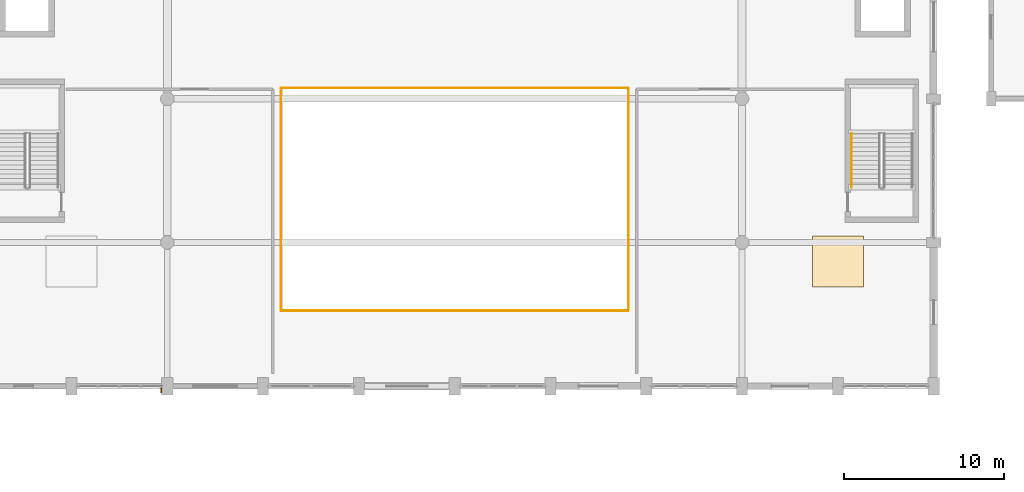
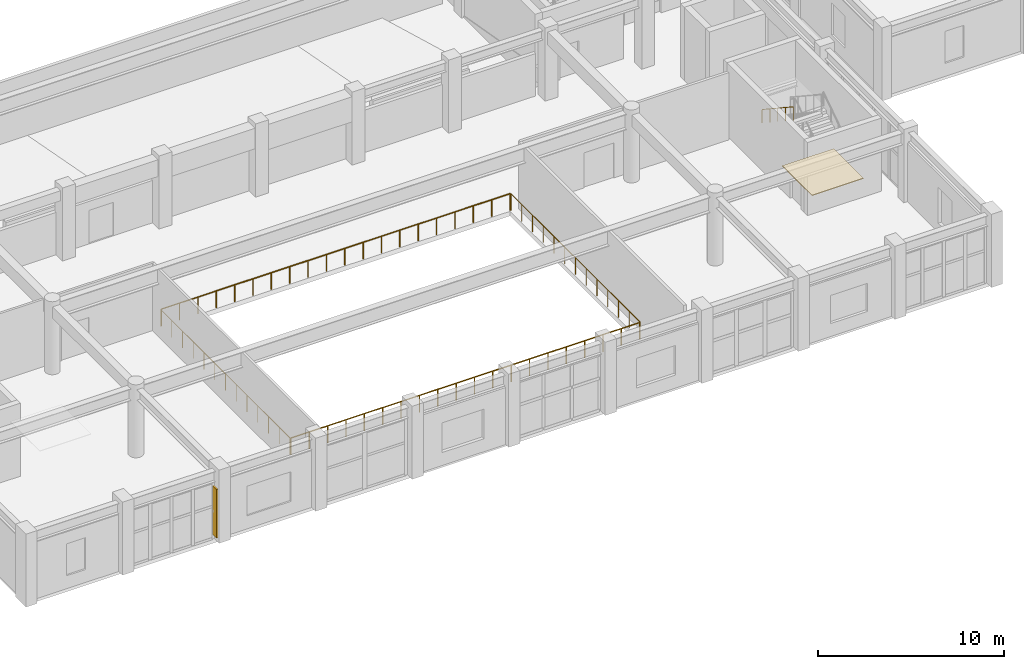
# One storey, part 86 of 96: 5 railings, 1 covering, 1 shading device.
"""IFC4 building model written with IfcOpenShell, lengths in metres."""

from ifc_helpers import new_model, si_unit, direction, frame, origin, origin_2d, place, context, subcontext, project, spatial, polyline, rectangle, circle, outline, extrude, material, layer, layer_set, type_object, element, save


model = new_model("IFC4")

# Units and contexts
model_context = context("Model", 3, precision=1e-05, world=origin(), true_north=direction((0.0, 1.0)))
body_context = subcontext(model_context, "Body", "Model", "MODEL_VIEW")
ifc_project = project(units=[si_unit("LENGTHUNIT", "METRE"), si_unit("AREAUNIT", "SQUARE_METRE"), si_unit("VOLUMEUNIT", "CUBIC_METRE"), si_unit("PLANEANGLEUNIT", "RADIAN"), si_unit("MASSUNIT", "GRAM", prefix="KILO")], contexts=[model_context])

# Site, building, storey
site_placement = place(None, origin())
site = spatial("IfcSite", under=ifc_project, at=site_placement, CompositionType="ELEMENT")
building_placement = place(site_placement, origin())
building = spatial("IfcBuilding", under=site, at=building_placement, Name="Vaelkrest Opera House", CompositionType="ELEMENT")
storey_placement = place(building_placement, frame((0.0, 0.0, 5.39990234375)))
storey = spatial("IfcBuildingStorey", under=building, at=storey_placement, Name="L01", CompositionType="ELEMENT", Elevation=5.39990234375)

# Railings
ifc_material_1 = material(Name="Dark bronze anodized aluminium", Category="aluminium")
railing_type_1 = type_object("IfcRailingType", Name="BL01", PredefinedType="BALUSTRADE", material=ifc_material_1)
railing_1_placement = place(storey_placement, frame((-10.840087890625, -51.080078125, 0.0)))
element("IfcRailing", 1, at=railing_1_placement, inside=storey, type_object=railing_type_1, Name="Atrium/stage void guard V1 L01-2 seg 1", PredefinedType="BALUSTRADE", context=body_context, shape_type="SweptSolid", body=[
    extrude(circle(Radius=0.02392578125, at=origin_2d()), frame((0.0, 0.0, 1.09619140625), z_axis=(1.0, 0.0, 0.0), x_axis=(0.0, 1.0, 0.0)), (0.0, 0.0, 1.0), 21.68017578125),
    extrude(circle(Radius=0.02099609375, at=origin_2d()), origin(), (0.0, 0.0, 1.0), 1.072021484375),
    extrude(circle(Radius=0.02099609375, at=origin_2d()), frame((1.14111328125, 0.0, 0.0)), (0.0, 0.0, 1.0), 1.072021484375),
    extrude(circle(Radius=0.02099609375, at=origin_2d()), frame((2.2822265625, 0.0, 0.0)), (0.0, 0.0, 1.0), 1.072021484375),
    extrude(circle(Radius=0.02099609375, at=origin_2d()), frame((3.423095703125, 0.0, 0.0)), (0.0, 0.0, 1.0), 1.072021484375),
    extrude(circle(Radius=0.02099609375, at=origin_2d()), frame((4.564208984375, 0.0, 0.0)), (0.0, 0.0, 1.0), 1.072021484375),
    extrude(circle(Radius=0.02099609375, at=origin_2d()), frame((5.705322265625, 0.0, 0.0)), (0.0, 0.0, 1.0), 1.072021484375),
    extrude(circle(Radius=0.02099609375, at=origin_2d()), frame((6.846435546875, 0.0, 0.0)), (0.0, 0.0, 1.0), 1.072021484375),
    extrude(circle(Radius=0.02099609375, at=origin_2d()), frame((7.987548828125, 0.0, 0.0)), (0.0, 0.0, 1.0), 1.072021484375),
    extrude(circle(Radius=0.02099609375, at=origin_2d()), frame((9.12841796875, 0.0, 0.0)), (0.0, 0.0, 1.0), 1.072021484375),
    extrude(circle(Radius=0.02099609375, at=origin_2d()), frame((10.26953125, 0.0, 0.0)), (0.0, 0.0, 1.0), 1.072021484375),
    extrude(circle(Radius=0.02099609375, at=origin_2d()), frame((11.41064453125, 0.0, 0.0)), (0.0, 0.0, 1.0), 1.072021484375),
    extrude(circle(Radius=0.02099609375, at=origin_2d()), frame((12.5517578125, 0.0, 0.0)), (0.0, 0.0, 1.0), 1.072021484375),
    extrude(circle(Radius=0.02099609375, at=origin_2d()), frame((13.692626953125, 0.0, 0.0)), (0.0, 0.0, 1.0), 1.072021484375),
    extrude(circle(Radius=0.02099609375, at=origin_2d()), frame((14.833740234375, 0.0, 0.0)), (0.0, 0.0, 1.0), 1.072021484375),
    extrude(circle(Radius=0.02099609375, at=origin_2d()), frame((15.974853515625, 0.0, 0.0)), (0.0, 0.0, 1.0), 1.072021484375),
    extrude(circle(Radius=0.02099609375, at=origin_2d()), frame((17.115966796875, 0.0, 0.0)), (0.0, 0.0, 1.0), 1.072021484375),
    extrude(circle(Radius=0.02099609375, at=origin_2d()), frame((18.257080078125, 0.0, 0.0)), (0.0, 0.0, 1.0), 1.072021484375),
    extrude(circle(Radius=0.02099609375, at=origin_2d()), frame((19.39794921875, 0.0, 0.0)), (0.0, 0.0, 1.0), 1.072021484375),
    extrude(circle(Radius=0.02099609375, at=origin_2d()), frame((20.5390625, 0.0, 0.0)), (0.0, 0.0, 1.0), 1.072021484375),
    extrude(circle(Radius=0.02099609375, at=origin_2d()), frame((21.68017578125, 0.0, 0.0)), (0.0, 0.0, 1.0), 1.072021484375),
])
railing_2_placement = place(storey_placement, frame((10.8798828125, -51.0400390625, 0.0)))
element("IfcRailing", 2, at=railing_2_placement, inside=storey, type_object=railing_type_1, Name="Atrium/stage void guard V1 L01-2 seg 2", PredefinedType="BALUSTRADE", context=body_context, shape_type="SweptSolid", body=[
    extrude(circle(Radius=0.02392578125, at=origin_2d()), frame((0.0, 0.0, 1.09619140625), z_axis=(0.0, 1.0, 0.0), x_axis=(-1.0, 0.0, 0.0)), (0.0, 0.0, 1.0), 13.880126953125),
    extrude(circle(Radius=0.02099609375, at=origin_2d()), origin(), (0.0, 0.0, 1.0), 1.072021484375),
    extrude(circle(Radius=0.02099609375, at=origin_2d()), frame((0.0, 1.15673828125, 0.0)), (0.0, 0.0, 1.0), 1.072021484375),
    extrude(circle(Radius=0.02099609375, at=origin_2d()), frame((0.0, 2.3134765625, 0.0)), (0.0, 0.0, 1.0), 1.072021484375),
    extrude(circle(Radius=0.02099609375, at=origin_2d()), frame((0.0, 3.469970703125, 0.0)), (0.0, 0.0, 1.0), 1.072021484375),
    extrude(circle(Radius=0.02099609375, at=origin_2d()), frame((0.0, 4.626708984375, 0.0)), (0.0, 0.0, 1.0), 1.072021484375),
    extrude(circle(Radius=0.02099609375, at=origin_2d()), frame((0.0, 5.783447265625, 0.0)), (0.0, 0.0, 1.0), 1.072021484375),
    extrude(circle(Radius=0.02099609375, at=origin_2d()), frame((0.0, 6.93994140625, 0.0)), (0.0, 0.0, 1.0), 1.072021484375),
    extrude(circle(Radius=0.02099609375, at=origin_2d()), frame((0.0, 8.0966796875, 0.0)), (0.0, 0.0, 1.0), 1.072021484375),
    extrude(circle(Radius=0.02099609375, at=origin_2d()), frame((0.0, 9.25341796875, 0.0)), (0.0, 0.0, 1.0), 1.072021484375),
    extrude(circle(Radius=0.02099609375, at=origin_2d()), frame((0.0, 10.41015625, 0.0)), (0.0, 0.0, 1.0), 1.072021484375),
    extrude(circle(Radius=0.02099609375, at=origin_2d()), frame((0.0, 11.56689453125, 0.0)), (0.0, 0.0, 1.0), 1.072021484375),
    extrude(circle(Radius=0.02099609375, at=origin_2d()), frame((0.0, 12.723388671875, 0.0)), (0.0, 0.0, 1.0), 1.072021484375),
    extrude(circle(Radius=0.02099609375, at=origin_2d()), frame((0.0, 13.880126953125, 0.0)), (0.0, 0.0, 1.0), 1.072021484375),
])
railing_3_placement = place(storey_placement, frame((10.840087890625, -37.1201171875, 0.0)))
element("IfcRailing", 3, at=railing_3_placement, inside=storey, type_object=railing_type_1, Name="Atrium/stage void guard V1 L01-2 seg 3", PredefinedType="BALUSTRADE", context=body_context, shape_type="SweptSolid", body=[
    extrude(circle(Radius=0.02392578125, at=origin_2d()), frame((0.0, 0.0, 1.09619140625), z_axis=(-1.0, 0.0, 0.0), x_axis=(0.0, -1.0, 0.0)), (0.0, 0.0, 1.0), 21.68017578125),
    extrude(circle(Radius=0.02099609375, at=origin_2d()), origin(), (0.0, 0.0, 1.0), 1.072021484375),
    extrude(circle(Radius=0.02099609375, at=origin_2d()), frame((-1.14111328125, 0.0, 0.0)), (0.0, 0.0, 1.0), 1.072021484375),
    extrude(circle(Radius=0.02099609375, at=origin_2d()), frame((-2.2822265625, 0.0, 0.0)), (0.0, 0.0, 1.0), 1.072021484375),
    extrude(circle(Radius=0.02099609375, at=origin_2d()), frame((-3.423095703125, 0.0, 0.0)), (0.0, 0.0, 1.0), 1.072021484375),
    extrude(circle(Radius=0.02099609375, at=origin_2d()), frame((-4.564208984375, 0.0, 0.0)), (0.0, 0.0, 1.0), 1.072021484375),
    extrude(circle(Radius=0.02099609375, at=origin_2d()), frame((-5.705322265625, 0.0, 0.0)), (0.0, 0.0, 1.0), 1.072021484375),
    extrude(circle(Radius=0.02099609375, at=origin_2d()), frame((-6.846435546875, 0.0, 0.0)), (0.0, 0.0, 1.0), 1.072021484375),
    extrude(circle(Radius=0.02099609375, at=origin_2d()), frame((-7.987548828125, 0.0, 0.0)), (0.0, 0.0, 1.0), 1.072021484375),
    extrude(circle(Radius=0.02099609375, at=origin_2d()), frame((-9.12841796875, 0.0, 0.0)), (0.0, 0.0, 1.0), 1.072021484375),
    extrude(circle(Radius=0.02099609375, at=origin_2d()), frame((-10.26953125, 0.0, 0.0)), (0.0, 0.0, 1.0), 1.072021484375),
    extrude(circle(Radius=0.02099609375, at=origin_2d()), frame((-11.41064453125, 0.0, 0.0)), (0.0, 0.0, 1.0), 1.072021484375),
    extrude(circle(Radius=0.02099609375, at=origin_2d()), frame((-12.5517578125, 0.0, 0.0)), (0.0, 0.0, 1.0), 1.072021484375),
    extrude(circle(Radius=0.02099609375, at=origin_2d()), frame((-13.692626953125, 0.0, 0.0)), (0.0, 0.0, 1.0), 1.072021484375),
    extrude(circle(Radius=0.02099609375, at=origin_2d()), frame((-14.833740234375, 0.0, 0.0)), (0.0, 0.0, 1.0), 1.072021484375),
    extrude(circle(Radius=0.02099609375, at=origin_2d()), frame((-15.974853515625, 0.0, 0.0)), (0.0, 0.0, 1.0), 1.072021484375),
    extrude(circle(Radius=0.02099609375, at=origin_2d()), frame((-17.115966796875, 0.0, 0.0)), (0.0, 0.0, 1.0), 1.072021484375),
    extrude(circle(Radius=0.02099609375, at=origin_2d()), frame((-18.257080078125, 0.0, 0.0)), (0.0, 0.0, 1.0), 1.072021484375),
    extrude(circle(Radius=0.02099609375, at=origin_2d()), frame((-19.39794921875, 0.0, 0.0)), (0.0, 0.0, 1.0), 1.072021484375),
    extrude(circle(Radius=0.02099609375, at=origin_2d()), frame((-20.5390625, 0.0, 0.0)), (0.0, 0.0, 1.0), 1.072021484375),
    extrude(circle(Radius=0.02099609375, at=origin_2d()), frame((-21.68017578125, 0.0, 0.0)), (0.0, 0.0, 1.0), 1.072021484375),
])
railing_4_placement = place(storey_placement, frame((-10.8798828125, -37.159912109375, 0.0)))
element("IfcRailing", 4, at=railing_4_placement, inside=storey, type_object=railing_type_1, Name="Atrium/stage void guard V1 L01-2 seg 4", PredefinedType="BALUSTRADE", context=body_context, shape_type="SweptSolid", body=[
    extrude(circle(Radius=0.02392578125, at=origin_2d()), frame((0.0, 0.0, 1.09619140625), z_axis=(0.0, -1.0, 0.0), x_axis=(1.0, 0.0, 0.0)), (0.0, 0.0, 1.0), 13.880126953125),
    extrude(circle(Radius=0.02099609375, at=origin_2d()), origin(), (0.0, 0.0, 1.0), 1.072021484375),
    extrude(circle(Radius=0.02099609375, at=origin_2d()), frame((0.0, -1.15673828125, 0.0)), (0.0, 0.0, 1.0), 1.072021484375),
    extrude(circle(Radius=0.02099609375, at=origin_2d()), frame((0.0, -2.3134765625, 0.0)), (0.0, 0.0, 1.0), 1.072021484375),
    extrude(circle(Radius=0.02099609375, at=origin_2d()), frame((0.0, -3.469970703125, 0.0)), (0.0, 0.0, 1.0), 1.072021484375),
    extrude(circle(Radius=0.02099609375, at=origin_2d()), frame((0.0, -4.626708984375, 0.0)), (0.0, 0.0, 1.0), 1.072021484375),
    extrude(circle(Radius=0.02099609375, at=origin_2d()), frame((0.0, -5.783447265625, 0.0)), (0.0, 0.0, 1.0), 1.072021484375),
    extrude(circle(Radius=0.02099609375, at=origin_2d()), frame((0.0, -6.93994140625, 0.0)), (0.0, 0.0, 1.0), 1.072021484375),
    extrude(circle(Radius=0.02099609375, at=origin_2d()), frame((0.0, -8.0966796875, 0.0)), (0.0, 0.0, 1.0), 1.072021484375),
    extrude(circle(Radius=0.02099609375, at=origin_2d()), frame((0.0, -9.25341796875, 0.0)), (0.0, 0.0, 1.0), 1.072021484375),
    extrude(circle(Radius=0.02099609375, at=origin_2d()), frame((0.0, -10.41015625, 0.0)), (0.0, 0.0, 1.0), 1.072021484375),
    extrude(circle(Radius=0.02099609375, at=origin_2d()), frame((0.0, -11.56689453125, 0.0)), (0.0, 0.0, 1.0), 1.072021484375),
    extrude(circle(Radius=0.02099609375, at=origin_2d()), frame((0.0, -12.723388671875, 0.0)), (0.0, 0.0, 1.0), 1.072021484375),
    extrude(circle(Radius=0.02099609375, at=origin_2d()), frame((0.0, -13.880126953125, 0.0)), (0.0, 0.0, 1.0), 1.072021484375),
])

# Covering
ifc_material_2 = material(Name="American black walnut acoustic timber", Category="wood")
ifc_layer = layer(ifc_material_2, 0.044921875)
ifc_layer_set = layer_set([ifc_layer], Name="American black walnut acoustic timber")
covering_type = type_object("IfcCoveringType", Name="COV-CLG01", PredefinedType="CEILING", material=ifc_layer_set)
covering_placement = place(storey_placement, frame((0.0, 0.0, 4.47021484375)))
element("IfcCovering", 5, at=covering_placement, inside=storey, type_object=covering_type, Name="Acoustic walnut ceiling reflector 06", PredefinedType="CEILING", context=body_context, shape_type="SweptSolid", body=[
    extrude(outline(polyline([(22.39990234375, -49.60009765625), (25.60009765625, -49.60009765625), (25.60009765625, -46.39990234375), (22.39990234375, -46.39990234375), (22.39990234375, -49.60009765625)])), origin(), (0.0, 0.0, 1.0), 0.044921875),
])

# Shading device
shading_device_type = type_object("IfcShadingDeviceType", Name="FIN01", PredefinedType="USERDEFINED", material=ifc_material_1)
shading_device_placement = place(storey_placement, frame((-18.383056640625, -55.97998046875, 0.27001953125), z_axis=(0.0, 0.0, 1.0), x_axis=(0.0, -1.0, 0.0)))
element("IfcShadingDevice", 6, at=shading_device_placement, inside=storey, type_object=shading_device_type, Name="Bronze vertical facade fin 01", ObjectType="FIN", PredefinedType="USERDEFINED", context=body_context, shape_type="SweptSolid", body=[
    extrude(rectangle(XDim=0.449951171875, YDim=0.080078125, at=origin_2d()), origin(), (0.0, 0.0, 1.0), 3.199951171875),
])

# Railing
railing_type_2 = type_object("IfcRailingType", Name="HR02", PredefinedType="HANDRAIL", material=ifc_material_1)
railing_5_placement = place(storey_placement, frame((24.85009765625, -39.989990234375, 2.584716796875)))
element("IfcRailing", 7, at=railing_5_placement, inside=storey, type_object=railing_type_2, Name="L01 ST04 stair handrail 2", PredefinedType="HANDRAIL", context=body_context, shape_type="SweptSolid", body=[
    extrude(circle(Radius=0.02392578125, at=origin_2d()), frame((0.0, 0.0, 0.8759765625), z_axis=(0.0, -0.834876476806, 0.550437342915), x_axis=(1.0, 0.0, 0.0)), (0.0, 0.0, 1.0), 4.024658203125),
    extrude(circle(Radius=0.02099609375, at=origin_2d()), origin(), (0.0, 0.0, 1.0), 0.851806640625),
    extrude(circle(Radius=0.02099609375, at=origin_2d()), frame((0.0, -0.840087890625, 0.5537109375)), (0.0, 0.0, 1.0), 0.851806640625),
    extrude(circle(Radius=0.02099609375, at=origin_2d()), frame((0.0, -1.68017578125, 1.107666015625)), (0.0, 0.0, 1.0), 0.851806640625),
    extrude(circle(Radius=0.02099609375, at=origin_2d()), frame((0.0, -2.52001953125, 1.66162109375)), (0.0, 0.0, 1.0), 0.851806640625),
    extrude(circle(Radius=0.02099609375, at=origin_2d()), frame((0.0, -3.360107421875, 2.21533203125)), (0.0, 0.0, 1.0), 0.851806640625),
])

save(model, "model.ifc")
